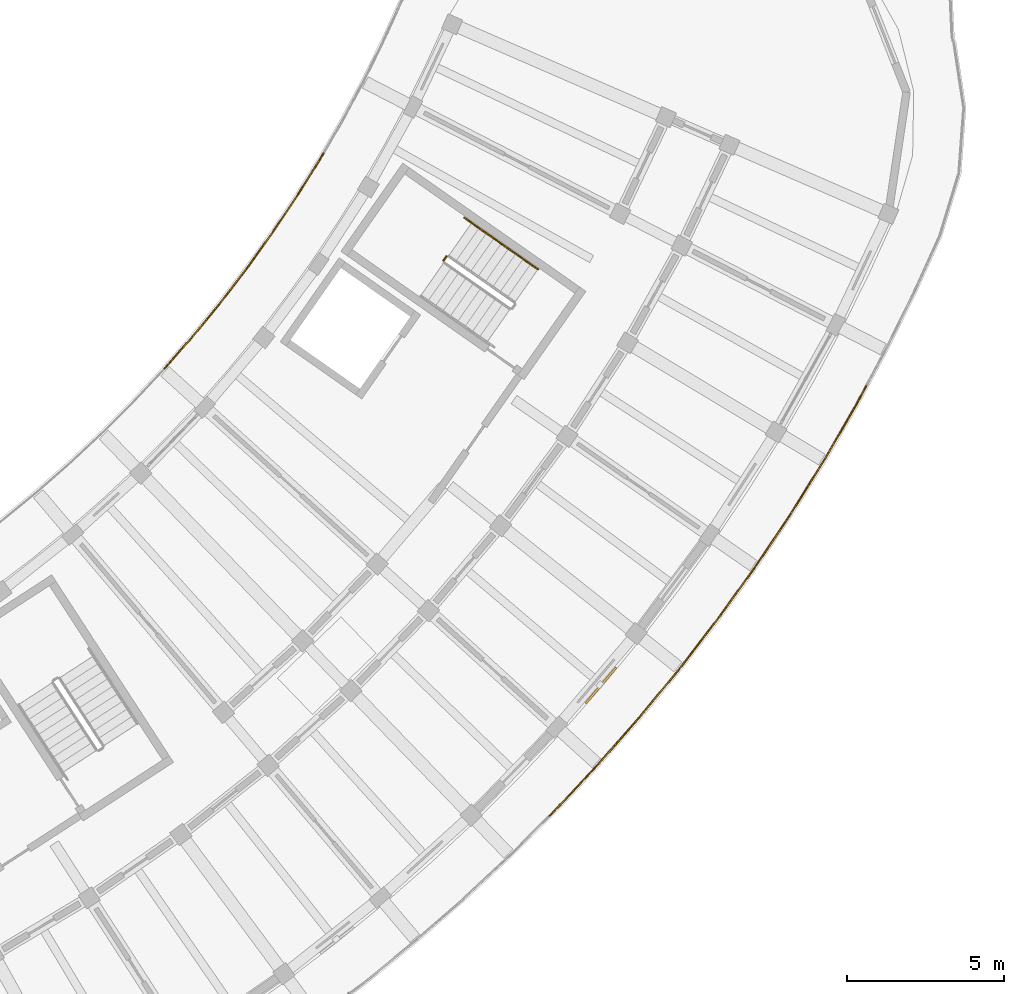
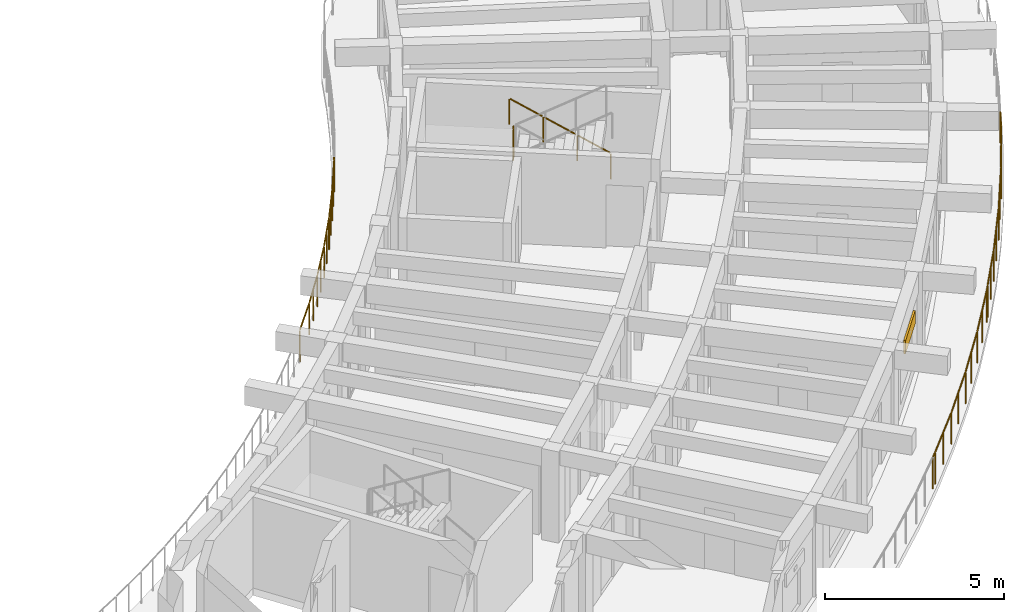
# One storey, part 78 of 83: 7 railings, 1 shading device.
"""IFC4 building model written with IfcOpenShell, lengths in metres."""

from ifc_helpers import new_model, si_unit, direction, frame, origin, origin_2d, place, context, subcontext, project, spatial, rectangle, circle, extrude, material, layer, layer_set, type_object, element, save


model = new_model("IFC4")

# Units and contexts
model_context = context("Model", 3, precision=1e-05, world=origin(), true_north=direction((0.0, 1.0)))
body_context = subcontext(model_context, "Body", "Model", "MODEL_VIEW")
ifc_project = project(units=[si_unit("LENGTHUNIT", "METRE"), si_unit("AREAUNIT", "SQUARE_METRE"), si_unit("VOLUMEUNIT", "CUBIC_METRE"), si_unit("PLANEANGLEUNIT", "RADIAN"), si_unit("MASSUNIT", "GRAM", prefix="KILO")], contexts=[model_context])

# Site, building, storey
site_placement = place(None, origin())
site = spatial("IfcSite", under=ifc_project, at=site_placement, CompositionType="ELEMENT")
building_placement = place(site_placement, origin())
building = spatial("IfcBuilding", under=site, at=building_placement, Name="Tanwirah Colonnade Gardens", CompositionType="ELEMENT")
storey_placement = place(building_placement, frame((0.0, 0.0, 25.639892578125)))
storey = spatial("IfcBuildingStorey", under=building, at=storey_placement, Name="L07", CompositionType="ELEMENT", Elevation=25.639892578125)

# Railings
ifc_material_1 = material(Name="Precast concrete C40/50", Category="concrete")
railing_type_1 = type_object("IfcRailingType", Name="BAL-EXT110", PredefinedType="BALUSTRADE", material=ifc_material_1)
railing_1_placement = place(storey_placement, frame((152.632568359375, 35.84912109375, 0.0)))
element("IfcRailing", 1, at=railing_1_placement, inside=storey, type_object=railing_type_1, Name="Block D L07 Balcony Ribbon Balustrade 4", PredefinedType="BALUSTRADE", context=body_context, shape_type="SweptSolid", body=[
    extrude(circle(Radius=0.02392578125, at=origin_2d()), frame((0.020751953125, 0.0234375, 1.076171875), z_axis=(0.660277259241, 0.751021931057, 0.0), x_axis=(-0.751021931057, 0.660277259241, 0.0)), (0.0, 0.0, 1.0), 1.27197265625),
    extrude(circle(Radius=0.02392578125, at=origin_2d()), frame((0.902587890625, 1.028564453125, 1.076171875), z_axis=(0.635209885743, 0.77233956331, 0.0), x_axis=(-0.77233956331, 0.635209885743, 0.0)), (0.0, 0.0, 1.0), 1.33154296875),
    extrude(circle(Radius=0.02392578125, at=origin_2d()), frame((1.7890625, 2.10791015625, 1.076171875), z_axis=(0.609651512095, 0.792669561546, 0.0), x_axis=(-0.792669561546, 0.609651512095, 0.0)), (0.0, 0.0, 1.0), 1.33154296875),
    extrude(circle(Radius=0.02392578125, at=origin_2d()), frame((2.6396484375, 3.215576171875, 1.076171875), z_axis=(0.58342309678, 0.812168387802, 0.0), x_axis=(-0.812168387802, 0.58342309678, 0.0)), (0.0, 0.0, 1.0), 1.331298828125),
    extrude(circle(Radius=0.02392578125, at=origin_2d()), frame((3.453369140625, 4.350341796875, 1.076171875), z_axis=(0.55655786635, 0.830808847692, 0.0), x_axis=(-0.830808847692, 0.55655786635, 0.0)), (0.0, 0.0, 1.0), 1.33154296875),
    extrude(circle(Radius=0.02392578125, at=origin_2d()), frame((4.229736328125, 5.511474609375, 1.076171875), z_axis=(0.529022666758, 0.848607693847, 0.0), x_axis=(-0.848607693847, 0.529022666758, 0.0)), (0.0, 0.0, 1.0), 1.33154296875),
    extrude(circle(Radius=0.02392578125, at=origin_2d()), frame((4.967529296875, 6.697265625, 1.076171875), z_axis=(0.501250443109, 0.865302255448, 0.0), x_axis=(-0.865302255448, 0.501250443109, 0.0)), (0.0, 0.0, 1.0), 0.1171875),
    extrude(circle(Radius=0.02099609375, at=origin_2d()), origin(), (0.0, 0.0, 1.0), 1.049072265625),
    extrude(circle(Radius=0.02099609375, at=origin_2d()), frame((0.881103515625, 1.002197265625, 0.0)), (0.0, 0.0, 1.0), 1.049072265625),
    extrude(circle(Radius=0.02099609375, at=origin_2d()), frame((1.32568359375, 1.542724609375, 0.0)), (0.0, 0.0, 1.0), 1.049072265625),
    extrude(circle(Radius=0.02099609375, at=origin_2d()), frame((1.768310546875, 2.0810546875, 0.0)), (0.0, 0.0, 1.0), 1.049072265625),
    extrude(circle(Radius=0.02099609375, at=origin_2d()), frame((2.19482421875, 2.635498046875, 0.0)), (0.0, 0.0, 1.0), 1.049072265625),
    extrude(circle(Radius=0.02099609375, at=origin_2d()), frame((2.619873046875, 3.18798828125, 0.0)), (0.0, 0.0, 1.0), 1.049072265625),
    extrude(circle(Radius=0.02099609375, at=origin_2d()), frame((3.02783203125, 3.75634765625, 0.0)), (0.0, 0.0, 1.0), 1.049072265625),
    extrude(circle(Radius=0.02099609375, at=origin_2d()), frame((3.4345703125, 4.322265625, 0.0)), (0.0, 0.0, 1.0), 1.049072265625),
    extrude(circle(Radius=0.02099609375, at=origin_2d()), frame((3.823974609375, 4.903564453125, 0.0)), (0.0, 0.0, 1.0), 1.049072265625),
    extrude(circle(Radius=0.02099609375, at=origin_2d()), frame((4.2119140625, 5.482666015625, 0.0)), (0.0, 0.0, 1.0), 1.049072265625),
    extrude(circle(Radius=0.02099609375, at=origin_2d()), frame((4.58203125, 6.076416015625, 0.0)), (0.0, 0.0, 1.0), 1.049072265625),
    extrude(circle(Radius=0.02099609375, at=origin_2d()), frame((4.95068359375, 6.66796875, 0.0)), (0.0, 0.0, 1.0), 1.049072265625),
    extrude(circle(Radius=0.02099609375, at=origin_2d()), frame((5.0419921875, 6.82568359375, 0.0)), (0.0, 0.0, 1.0), 1.049072265625),
])
railing_2_placement = place(storey_placement, frame((174.90478515625, 35.28564453125, 0.0)))
element("IfcRailing", 2, at=railing_2_placement, inside=storey, type_object=railing_type_1, Name="Block D L07 Balcony Ribbon Balustrade 10", PredefinedType="BALUSTRADE", context=body_context, shape_type="SweptSolid", body=[
    extrude(circle(Radius=0.02392578125, at=origin_2d()), frame((-0.0146484375, -0.027587890625, 1.076171875), z_axis=(-0.472268724377, -0.881454622754, 0.0), x_axis=(0.881454622754, -0.472268724377, 0.0)), (0.0, 0.0, 1.0), 0.653564453125),
    extrude(circle(Radius=0.02392578125, at=origin_2d()), frame((-0.353759765625, -0.658203125, 1.076171875), z_axis=(-0.500940340279, -0.865481816956, 0.0), x_axis=(0.865481816956, -0.500940340279, 0.0)), (0.0, 0.0, 1.0), 1.94384765625),
    extrude(circle(Radius=0.02392578125, at=origin_2d()), frame((-1.35986328125, -2.394287109375, 1.076171875), z_axis=(-0.529003375217, -0.848619719903, 0.0), x_axis=(0.848619719903, -0.529003375217, 0.0)), (0.0, 0.0, 1.0), 1.944091796875),
    extrude(circle(Radius=0.02392578125, at=origin_2d()), frame((-2.422119140625, -4.096435546875, 1.076171875), z_axis=(-0.556495801451, -0.830850421537, 0.0), x_axis=(0.830850421537, -0.556495801451, 0.0)), (0.0, 0.0, 1.0), 1.944091796875),
    extrude(circle(Radius=0.02392578125, at=origin_2d()), frame((-3.539794921875, -5.76318359375, 1.076171875), z_axis=(-0.583330880616, -0.812234623567, 0.0), x_axis=(0.812234623567, -0.583330880616, 0.0)), (0.0, 0.0, 1.0), 1.70166015625),
    extrude(circle(Radius=0.02099609375, at=origin_2d()), origin(), (0.0, 0.0, 1.0), 1.049072265625),
    extrude(circle(Radius=0.02099609375, at=origin_2d()), frame((-0.338134765625, -0.631103515625, 0.0)), (0.0, 0.0, 1.0), 1.049072265625),
    extrude(circle(Radius=0.02099609375, at=origin_2d()), frame((-0.8408203125, -1.49951171875, 0.0)), (0.0, 0.0, 1.0), 1.049072265625),
    extrude(circle(Radius=0.02099609375, at=origin_2d()), frame((-1.34326171875, -2.36767578125, 0.0)), (0.0, 0.0, 1.0), 1.049072265625),
    extrude(circle(Radius=0.02099609375, at=origin_2d()), frame((-1.8740234375, -3.21923828125, 0.0)), (0.0, 0.0, 1.0), 1.049072265625),
    extrude(circle(Radius=0.02099609375, at=origin_2d()), frame((-2.40478515625, -4.070556640625, 0.0)), (0.0, 0.0, 1.0), 1.049072265625),
    extrude(circle(Radius=0.02099609375, at=origin_2d()), frame((-2.963134765625, -4.904296875, 0.0)), (0.0, 0.0, 1.0), 1.049072265625),
    extrude(circle(Radius=0.02099609375, at=origin_2d()), frame((-3.521484375, -5.73779296875, 0.0)), (0.0, 0.0, 1.0), 1.049072265625),
    extrude(circle(Radius=0.02099609375, at=origin_2d()), frame((-4.0361328125, -6.4541015625, 0.0)), (0.0, 0.0, 1.0), 1.049072265625),
    extrude(circle(Radius=0.02099609375, at=origin_2d()), frame((-4.550537109375, -7.170654296875, 0.0)), (0.0, 0.0, 1.0), 1.049072265625),
])
railing_3_placement = place(storey_placement, frame((170.354248046875, 28.114990234375, 0.0)))
element("IfcRailing", 3, at=railing_3_placement, inside=storey, type_object=railing_type_1, Name="Block D L07 Balcony Ribbon Balustrade 11", PredefinedType="BALUSTRADE", context=body_context, shape_type="SweptSolid", body=[
    extrude(circle(Radius=0.02392578125, at=origin_2d()), frame((-0.018310546875, -0.025390625, 1.076171875), z_axis=(-0.58295122618, -0.812507149443, 0.0), x_axis=(0.812507149443, -0.58295122618, 0.0)), (0.0, 0.0, 1.0), 0.179931640625),
    extrude(circle(Radius=0.02392578125, at=origin_2d()), frame((-0.160400390625, -0.2216796875, 1.076171875), z_axis=(-0.609669601555, -0.7926556484, 0.0), x_axis=(0.7926556484, -0.609669601555, 0.0)), (0.0, 0.0, 1.0), 1.944091796875),
    extrude(circle(Radius=0.02392578125, at=origin_2d()), frame((-1.384521484375, -1.811767578125, 1.076171875), z_axis=(-0.635216698846, -0.77233395983, 0.0), x_axis=(0.77233395983, -0.635216698846, 0.0)), (0.0, 0.0, 1.0), 1.944091796875),
    extrude(circle(Radius=0.02392578125, at=origin_2d()), frame((-2.66015625, -3.36083984375, 1.076171875), z_axis=(-0.660199900943, -0.751089935224, 0.0), x_axis=(0.751089935224, -0.660199900943, 0.0)), (0.0, 0.0, 1.0), 1.944091796875),
    extrude(circle(Radius=0.02392578125, at=origin_2d()), frame((-3.985595703125, -4.8671875, 1.076171875), z_axis=(-0.684365955264, -0.729138696871, 0.0), x_axis=(0.729138696871, -0.684365955264, 0.0)), (0.0, 0.0, 1.0), 1.944091796875),
    extrude(circle(Radius=0.02392578125, at=origin_2d()), frame((-5.359619140625, -6.32958984375, 1.076171875), z_axis=(-0.707634669567, -0.706578498418, 0.0), x_axis=(0.706578498418, -0.707634669567, 0.0)), (0.0, 0.0, 1.0), 0.168701171875),
    extrude(circle(Radius=0.02099609375, at=origin_2d()), origin(), (0.0, 0.0, 1.0), 1.049072265625),
    extrude(circle(Radius=0.02099609375, at=origin_2d()), frame((-0.141357421875, -0.197021484375, 0.0)), (0.0, 0.0, 1.0), 1.049072265625),
    extrude(circle(Radius=0.02099609375, at=origin_2d()), frame((-0.7529296875, -0.9921875, 0.0)), (0.0, 0.0, 1.0), 1.049072265625),
    extrude(circle(Radius=0.02099609375, at=origin_2d()), frame((-1.36474609375, -1.78759765625, 0.0)), (0.0, 0.0, 1.0), 1.049072265625),
    extrude(circle(Radius=0.02099609375, at=origin_2d()), frame((-2.001953125, -2.5625, 0.0)), (0.0, 0.0, 1.0), 1.049072265625),
    extrude(circle(Radius=0.02099609375, at=origin_2d()), frame((-2.639404296875, -3.33740234375, 0.0)), (0.0, 0.0, 1.0), 1.049072265625),
    extrude(circle(Radius=0.02099609375, at=origin_2d()), frame((-3.3017578125, -4.0908203125, 0.0)), (0.0, 0.0, 1.0), 1.049072265625),
    extrude(circle(Radius=0.02099609375, at=origin_2d()), frame((-3.964111328125, -4.844482421875, 0.0)), (0.0, 0.0, 1.0), 1.049072265625),
    extrude(circle(Radius=0.02099609375, at=origin_2d()), frame((-4.65087890625, -5.576171875, 0.0)), (0.0, 0.0, 1.0), 1.049072265625),
    extrude(circle(Radius=0.02099609375, at=origin_2d()), frame((-5.33740234375, -6.3076171875, 0.0)), (0.0, 0.0, 1.0), 1.049072265625),
    extrude(circle(Radius=0.02099609375, at=origin_2d()), frame((-5.5009765625, -6.470947265625, 0.0)), (0.0, 0.0, 1.0), 1.049072265625),
])
ifc_material_2 = material(Name="Powder-coated galvanized steel", Category="steel")
railing_type_2 = type_object("IfcRailingType", Name="GRD-ST110", PredefinedType="GUARDRAIL", material=ifc_material_2)
railing_4_placement = place(storey_placement, frame((161.580322265625, 39.40576171875, 1.68017578125)))
element("IfcRailing", 4, at=railing_4_placement, inside=storey, type_object=railing_type_2, Name="L07 ST-D2 stair guard 2", PredefinedType="GUARDRAIL", context=body_context, shape_type="SweptSolid", body=[
    extrude(circle(Radius=0.02392578125, at=origin_2d()), frame((-0.017822265625, -0.025634765625, 1.076171875), z_axis=(-0.572539769307, -0.819876949647, 0.0), x_axis=(0.819876949647, -0.572539769307, 0.0)), (0.0, 0.0, 1.0), 0.097412109375),
    extrude(circle(Radius=0.02099609375, at=origin_2d()), origin(), (0.0, 0.0, 1.0), 1.049072265625),
    extrude(circle(Radius=0.02099609375, at=origin_2d()), frame((-0.091552734375, -0.131103515625, 0.0)), (0.0, 0.0, 1.0), 1.049072265625),
])
ifc_material_3 = material(Name="Brushed bronze stainless steel", Category="steel")
railing_type_3 = type_object("IfcRailingType", Name="HR-ST090", PredefinedType="HANDRAIL", material=ifc_material_3)
railing_5_placement = place(storey_placement, frame((164.4853515625, 38.995361328125, 0.168212890625)))
element("IfcRailing", 5, at=railing_5_placement, inside=storey, type_object=railing_type_3, Name="L07 ST-D2 stair handrail 1", PredefinedType="HANDRAIL", context=body_context, shape_type="SweptSolid", body=[
    extrude(circle(Radius=0.02392578125, at=origin_2d()), frame((-0.02197265625, 0.015380859375, 0.891845703125), z_axis=(-0.703686044561, 0.492823109966, 0.511811814023), x_axis=(-0.57365206981, -0.819099079967, 0.0)), (0.0, 0.0, 1.0), 1.043212890625),
    extrude(circle(Radius=0.02099609375, at=origin_2d()), origin(), (0.0, 0.0, 1.0), 0.848876953125),
    extrude(circle(Radius=0.02099609375, at=origin_2d()), frame((-0.778076171875, 0.544921875, 0.56591796875)), (0.0, 0.0, 1.0), 0.848876953125),
])
railing_6_placement = place(storey_placement, frame((163.707275390625, 39.540283203125, 0.734130859375)))
element("IfcRailing", 6, at=railing_6_placement, inside=storey, type_object=railing_type_3, Name="L07 ST-D2 stair handrail 2", PredefinedType="HANDRAIL", context=body_context, shape_type="SweptSolid", body=[
    extrude(circle(Radius=0.02392578125, at=origin_2d()), frame((-0.02197265625, 0.015380859375, 0.891845703125), z_axis=(-0.703797483594, 0.492746544348, 0.511732298297), x_axis=(-0.573531324472, -0.819183630115, 0.0)), (0.0, 0.0, 1.0), 1.04345703125),
    extrude(circle(Radius=0.02099609375, at=origin_2d()), origin(), (0.0, 0.0, 1.0), 0.848876953125),
    extrude(circle(Radius=0.02099609375, at=origin_2d()), frame((-0.7783203125, 0.544921875, 0.56591796875)), (0.0, 0.0, 1.0), 0.848876953125),
])
railing_7_placement = place(storey_placement, frame((162.928955078125, 40.085205078125, 1.300048828125)))
element("IfcRailing", 7, at=railing_7_placement, inside=storey, type_object=railing_type_3, Name="L07 ST-D2 stair handrail 3", PredefinedType="HANDRAIL", context=body_context, shape_type="SweptSolid", body=[
    extrude(circle(Radius=0.02392578125, at=origin_2d()), frame((-0.02197265625, 0.015380859375, 0.891845703125), z_axis=(-0.703606519106, 0.492767414699, 0.511974746723), x_axis=(-0.57365206981, -0.819099079967, 0.0)), (0.0, 0.0, 1.0), 1.043212890625),
    extrude(circle(Radius=0.02099609375, at=origin_2d()), origin(), (0.0, 0.0, 1.0), 0.848876953125),
    extrude(circle(Radius=0.02099609375, at=origin_2d()), frame((-0.778076171875, 0.544921875, 0.566162109375)), (0.0, 0.0, 1.0), 0.848876953125),
])

# Shading device
ifc_material_4 = material(Name="Perforated architectural bronze aluminium", Category="aluminium")
ifc_layer = layer(ifc_material_4, 0.050048828125)
ifc_layer_set = layer_set([ifc_layer], Name="Perforated architectural bronze aluminium")
shading_device_type = type_object("IfcShadingDeviceType", Name="SHD-OVH1", PredefinedType="SHUTTER", material=ifc_layer_set)
shading_device_placement = place(storey_placement, frame((166.48486328125, 25.78076171875, 2.03515625), z_axis=(0.0, 0.0, 1.0), x_axis=(0.647787024286, 0.761821482479, 0.0)))
element("IfcShadingDevice", 8, at=shading_device_placement, inside=storey, type_object=shading_device_type, Name="Solar shading louver hood D-L07-09", PredefinedType="SHUTTER", context=body_context, shape_type="SweptSolid", body=[
    extrude(rectangle(XDim=1.5, YDim=0.06005859375, at=origin_2d()), origin(), (0.0, 0.0, 1.0), 0.449951171875),
])

save(model, "model.ifc")
